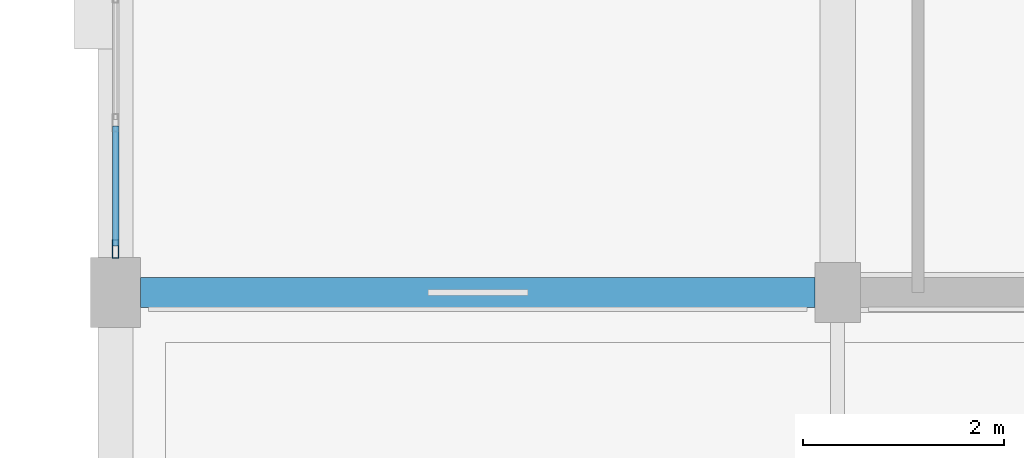
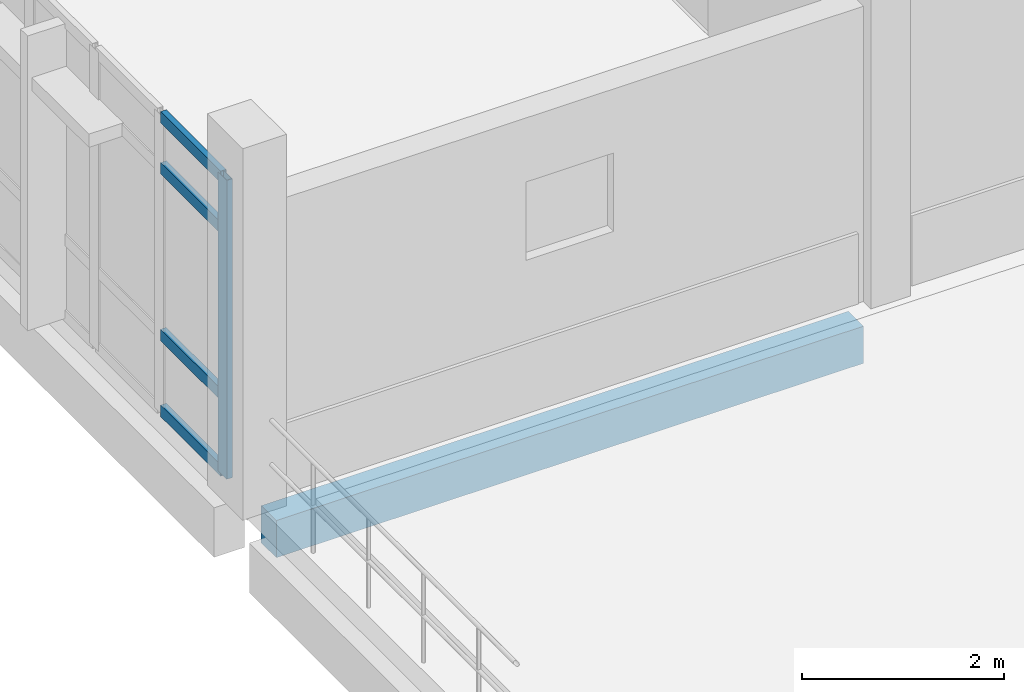
# One storey, part 3 of 57: 5 members, 1 beam, 1 element without a shape of its own.
"""IFC4 building model written with IfcOpenShell, lengths in metres."""

from ifc_helpers import new_model, si_unit, direction, frame, origin, origin_2d, place, context, subcontext, project, spatial, rectangle, hollow_rectangle, extrude, material, material_profile, profile_set, type_object, element, aggregate, save


model = new_model("IFC4")

# Units and contexts
model_context = context("Model", 3, precision=1e-05, world=origin(), true_north=direction((0.0, 1.0)))
body_context = subcontext(model_context, "Body", "Model", "MODEL_VIEW")
ifc_project = project(units=[si_unit("LENGTHUNIT", "METRE"), si_unit("AREAUNIT", "SQUARE_METRE"), si_unit("VOLUMEUNIT", "CUBIC_METRE"), si_unit("PLANEANGLEUNIT", "RADIAN"), si_unit("MASSUNIT", "GRAM", prefix="KILO")], contexts=[model_context])

# Site, building, storey
site_placement = place(None, origin())
site = spatial("IfcSite", under=ifc_project, at=site_placement, CompositionType="ELEMENT")
building_placement = place(site_placement, origin())
building = spatial("IfcBuilding", under=site, at=building_placement, Name="Kalluvel Institute of Natural Sciences", CompositionType="ELEMENT")
storey_placement = place(building_placement, frame((0.0, 0.0, 23.39990234375)))
storey = spatial("IfcBuildingStorey", under=building, at=storey_placement, Name="L05", CompositionType="ELEMENT", Elevation=23.39990234375)

# Curtain wall, members
ifc_material_1 = material(Name="Aluminium AW-6063 T6", Category="aluminium")
curtain_wall_type = type_object("IfcCurtainWallType", Name="CW-DRY-45", PredefinedType="USERDEFINED", material=ifc_material_1)
curtain_wall_placement = place(storey_placement, origin())
curtain_wall = element("IfcCurtainWall", 1, at=curtain_wall_placement, inside=storey, type_object=curtain_wall_type, Name="L05 Gothic lancet curtain wall CWA-L05-X140-Y288", ObjectType="UNITISED LANCET FACADE", PredefinedType="USERDEFINED")
ifc_material_profile_1 = material_profile(ifc_material_1, hollow_rectangle(XDim=0.06494140625, YDim=0.179931640625, WallThickness=0.00439453125, at=origin_2d()), Name="CWM 65x180")
ifc_profile_set_1 = profile_set([ifc_material_profile_1], Name="Aluminium AW-6063 T6")
member_type_1 = type_object("IfcMemberType", Name="CWM-65x180", PredefinedType="MULLION", material=ifc_profile_set_1)
member_1_placement = place(storey_placement, frame((14.0, 28.83251953125, 0.0), z_axis=(0.0, 0.0, 1.0), x_axis=(-1.0, 0.0, 0.0)))
member_1 = element("IfcMember", 2, at=member_1_placement, type_object=member_type_1, Name="CW-03 mullion 1", PredefinedType="MULLION", context=body_context, shape_type="SweptSolid", body=[
    extrude(hollow_rectangle(XDim=0.06494140625, YDim=0.179931640625, WallThickness=0.00439453125, at=origin_2d()), origin(), (0.0, 0.0, 1.0), 3.6201171875),
])
ifc_material_profile_2 = material_profile(ifc_material_1, hollow_rectangle(XDim=0.06494140625, YDim=0.139892578125, WallThickness=0.00439453125, at=origin_2d()), Name="CWT 65x140")
ifc_profile_set_2 = profile_set([ifc_material_profile_2], Name="Aluminium AW-6063 T6")
member_type_2 = type_object("IfcMemberType", Name="CWT-65x140", PredefinedType="USERDEFINED", material=ifc_profile_set_2)
member_2_placement = place(storey_placement, frame((14.0, 28.864990234375, 0.03271484375), z_axis=(0.0, 1.0, 0.0), x_axis=(-1.0, 0.0, 0.0)))
member_2 = element("IfcMember", 3, at=member_2_placement, type_object=member_type_2, Name="CW-03 transom 1.1", ObjectType="TRANSOM", PredefinedType="USERDEFINED", context=body_context, shape_type="SweptSolid", body=[
    extrude(hollow_rectangle(XDim=0.06494140625, YDim=0.139892578125, WallThickness=0.00439453125, at=origin_2d()), origin(), (0.0, 0.0, 1.0), 1.192626953125),
])
member_3_placement = place(storey_placement, frame((14.0, 28.864990234375, 0.9501953125), z_axis=(0.0, 1.0, 0.0), x_axis=(-1.0, 0.0, 0.0)))
member_3 = element("IfcMember", 4, at=member_3_placement, type_object=member_type_2, Name="CW-03 transom 1.2", ObjectType="TRANSOM", PredefinedType="USERDEFINED", context=body_context, shape_type="SweptSolid", body=[
    extrude(hollow_rectangle(XDim=0.06494140625, YDim=0.139892578125, WallThickness=0.00439453125, at=origin_2d()), origin(), (0.0, 0.0, 1.0), 1.192626953125),
])
member_4_placement = place(storey_placement, frame((14.0, 28.864990234375, 2.97021484375), z_axis=(0.0, 1.0, 0.0), x_axis=(-1.0, 0.0, 0.0)))
member_4 = element("IfcMember", 5, at=member_4_placement, type_object=member_type_2, Name="CW-03 transom 1.3", ObjectType="TRANSOM", PredefinedType="USERDEFINED", context=body_context, shape_type="SweptSolid", body=[
    extrude(hollow_rectangle(XDim=0.06494140625, YDim=0.139892578125, WallThickness=0.00439453125, at=origin_2d()), origin(), (0.0, 0.0, 1.0), 1.192626953125),
])
member_5_placement = place(storey_placement, frame((14.0, 28.864990234375, 3.587646484375), z_axis=(0.0, 1.0, 0.0), x_axis=(-1.0, 0.0, 0.0)))
member_5 = element("IfcMember", 6, at=member_5_placement, type_object=member_type_2, Name="CW-03 transom 1.4", ObjectType="TRANSOM", PredefinedType="USERDEFINED", context=body_context, shape_type="SweptSolid", body=[
    extrude(hollow_rectangle(XDim=0.06494140625, YDim=0.139892578125, WallThickness=0.00439453125, at=origin_2d()), origin(), (0.0, 0.0, 1.0), 1.192626953125),
])
aggregate(curtain_wall, [member_1, member_2, member_3, member_4, member_5])

# Beam
ifc_material_2 = material(Name="Concrete M40", Category="concrete")
ifc_material_profile_3 = material_profile(ifc_material_2, rectangle(XDim=0.300048828125, YDim=0.449951171875, at=origin_2d()), Name="RCB 300x450")
ifc_profile_set_3 = profile_set([ifc_material_profile_3], Name="Concrete M40")
beam_type = type_object("IfcBeamType", Name="SP-RC300x450", PredefinedType="SPANDREL", material=ifc_profile_set_3)
beam_placement = place(storey_placement, frame((14.25, 28.39990234375, -0.52490234375), z_axis=(1.0, 0.0, 0.0), x_axis=(0.0, 1.0, 0.0)))
element("IfcBeam", 7, at=beam_placement, inside=storey, type_object=beam_type, Name="L05 girder GIR-L05-EW-X140-Y284", PredefinedType="SPANDREL", context=body_context, shape_type="SweptSolid", body=[
    extrude(rectangle(XDim=0.300048828125, YDim=0.449951171875, at=origin_2d()), origin(), (0.0, 0.0, 1.0), 6.72509765625),
])

save(model, "model.ifc")
